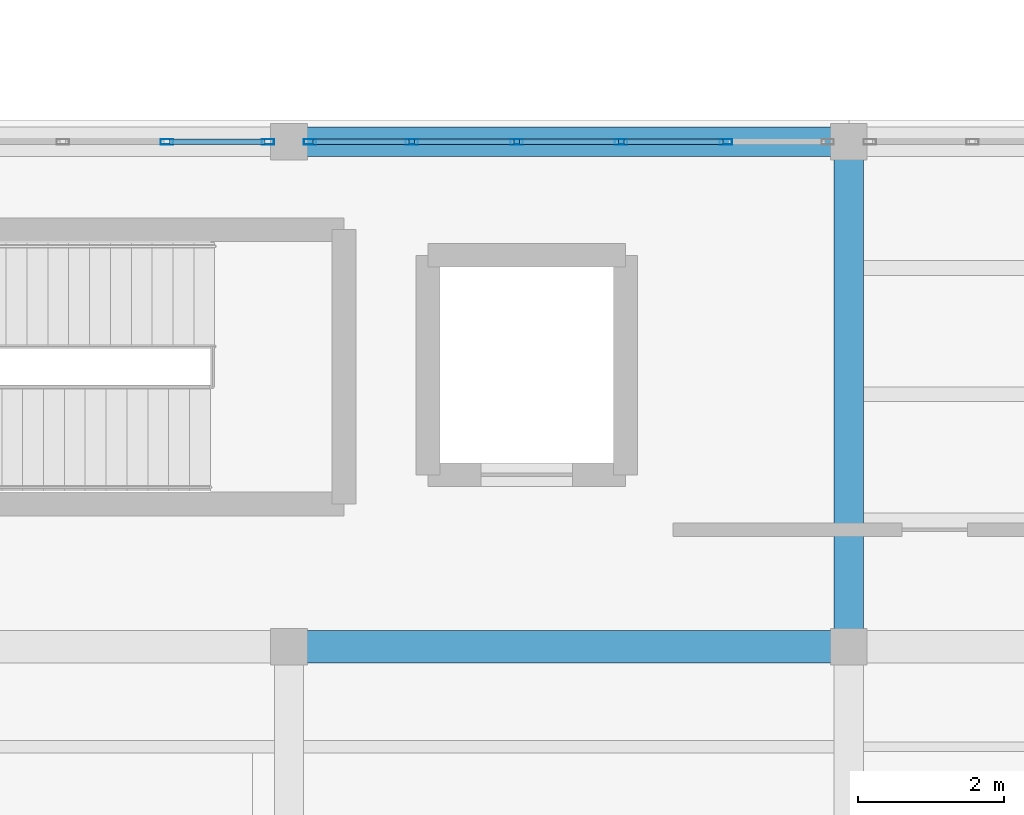
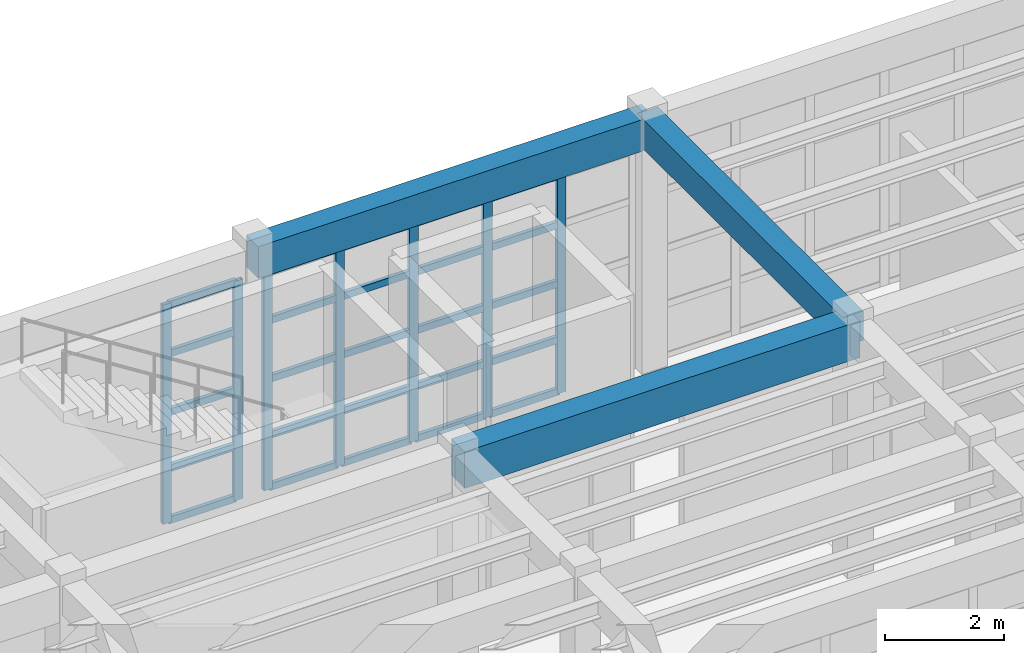
# One storey, part 27 of 103: 32 members, 3 beams, 2 elements without a shape of their own.
"""IFC4 building model written with IfcOpenShell, lengths in metres."""

from ifc_helpers import new_model, si_unit, direction, frame, origin, origin_2d, place, context, subcontext, project, spatial, rectangle, hollow_rectangle, extrude, material, layer, layer_set, material_profile, profile_set, type_object, element, aggregate, save


model = new_model("IFC4")

# Units and contexts
model_context = context("Model", 3, precision=1e-05, world=origin(), true_north=direction((0.0, 1.0)))
body_context = subcontext(model_context, "Body", "Model", "MODEL_VIEW")
ifc_project = project(units=[si_unit("LENGTHUNIT", "METRE"), si_unit("AREAUNIT", "SQUARE_METRE"), si_unit("VOLUMEUNIT", "CUBIC_METRE"), si_unit("PLANEANGLEUNIT", "RADIAN"), si_unit("MASSUNIT", "GRAM", prefix="KILO")], contexts=[model_context])

# Site, building, storey
site_placement = place(None, origin())
site = spatial("IfcSite", under=ifc_project, at=site_placement, CompositionType="ELEMENT")
building_placement = place(site_placement, origin())
building = spatial("IfcBuilding", under=site, at=building_placement, Name="Candilejo Ridge Gondola Terminal", CompositionType="ELEMENT")
storey_placement = place(building_placement, frame((0.0, 0.0, 9.0)))
storey = spatial("IfcBuildingStorey", under=building, at=storey_placement, Name="L02", CompositionType="ELEMENT", Elevation=9.0)

# Curtain wall, members
ifc_material_1 = material(Name="Anodised aluminium AA 6063-T6", Category="aluminium")
ifc_layer_1 = layer(ifc_material_1, 0.169921875)
ifc_layer_set_1 = layer_set([ifc_layer_1], Name="ARC-CW-GALLERY-3200-710X449")
curtain_wall_type_1 = type_object("IfcCurtainWallType", Name="ARC-CW-GALLERY-3200-710X449", PredefinedType="NOTDEFINED", material=ifc_layer_set_1)
curtain_wall_1_placement = place(storey_placement, origin())
curtain_wall_1 = element("IfcCurtainWall", 1, at=curtain_wall_1_placement, inside=storey, type_object=curtain_wall_type_1, Name="Curtain wall V3 L02-084", PredefinedType="NOTDEFINED")
ifc_material_2 = material(Name="Anodised aluminium AA 6063-T6", Category="aluminium")
ifc_material_profile_1 = material_profile(ifc_material_2, hollow_rectangle(XDim=0.074951171875, YDim=0.169921875, WallThickness=0.00390625, at=origin_2d()))
ifc_profile_set_1 = profile_set([ifc_material_profile_1], Name="Anodised aluminium AA 6063-T6")
member_type_1 = type_object("IfcMemberType", Name="ARC-CW-MULLION", PredefinedType="MULLION", material=ifc_profile_set_1)
member_1_placement = place(storey_placement, frame((100.530029296875, 36.699951171875, 0.0), z_axis=(0.0, 0.0, 1.0), x_axis=(0.0, 1.0, 0.0)))
member_1 = element("IfcMember", 2, at=member_1_placement, type_object=member_type_1, Name="CW-71X44 mullion 5", PredefinedType="MULLION", context=body_context, shape_type="SweptSolid", body=[
    extrude(hollow_rectangle(XDim=0.074951171875, YDim=0.169921875, WallThickness=0.00390625, at=origin_2d()), origin(), (0.0, 0.0, 1.0), 4.489990234375),
])
member_2_placement = place(storey_placement, frame((101.91259765625, 36.699951171875, 0.0), z_axis=(0.0, 0.0, 1.0), x_axis=(0.0, 1.0, 0.0)))
member_2 = element("IfcMember", 3, at=member_2_placement, type_object=member_type_1, Name="CW-71X44 mullion 6", PredefinedType="MULLION", context=body_context, shape_type="SweptSolid", body=[
    extrude(hollow_rectangle(XDim=0.074951171875, YDim=0.169921875, WallThickness=0.00390625, at=origin_2d()), origin(), (0.0, 0.0, 1.0), 4.489990234375),
])

ifc_material_3 = material(Name="Anodised aluminium AA 6063-T6", Category="aluminium")
ifc_layer_2 = layer(ifc_material_3, 0.169921875)
ifc_layer_set_2 = layer_set([ifc_layer_2], Name="ARC-CW-GALLERY-3200-715X449")
curtain_wall_type_2 = type_object("IfcCurtainWallType", Name="ARC-CW-GALLERY-3200-715X449", PredefinedType="NOTDEFINED", material=ifc_layer_set_2)
curtain_wall_2_placement = place(storey_placement, origin())
curtain_wall_2 = element("IfcCurtainWall", 4, at=curtain_wall_2_placement, inside=storey, type_object=curtain_wall_type_2, Name="Curtain wall V3 L02-086", PredefinedType="NOTDEFINED")
member_3_placement = place(storey_placement, frame((102.487548828125, 36.699951171875, 0.0), z_axis=(0.0, 0.0, 1.0), x_axis=(0.0, 1.0, 0.0)))
member_3 = element("IfcMember", 5, at=member_3_placement, type_object=member_type_1, Name="CW-71X44 mullion 1", PredefinedType="MULLION", context=body_context, shape_type="SweptSolid", body=[
    extrude(hollow_rectangle(XDim=0.074951171875, YDim=0.169921875, WallThickness=0.00390625, at=origin_2d()), origin(), (0.0, 0.0, 1.0), 4.489990234375),
])
member_4_placement = place(storey_placement, frame((103.8798828125, 36.699951171875, 0.0), z_axis=(0.0, 0.0, 1.0), x_axis=(0.0, 1.0, 0.0)))
member_4 = element("IfcMember", 6, at=member_4_placement, type_object=member_type_1, Name="CW-71X44 mullion 2", PredefinedType="MULLION", context=body_context, shape_type="SweptSolid", body=[
    extrude(hollow_rectangle(XDim=0.074951171875, YDim=0.169921875, WallThickness=0.00390625, at=origin_2d()), origin(), (0.0, 0.0, 1.0), 4.489990234375),
])
member_5_placement = place(storey_placement, frame((105.31005859375, 36.699951171875, 0.0), z_axis=(0.0, 0.0, 1.0), x_axis=(0.0, 1.0, 0.0)))
member_5 = element("IfcMember", 7, at=member_5_placement, type_object=member_type_1, Name="CW-71X44 mullion 3", PredefinedType="MULLION", context=body_context, shape_type="SweptSolid", body=[
    extrude(hollow_rectangle(XDim=0.074951171875, YDim=0.169921875, WallThickness=0.00390625, at=origin_2d()), origin(), (0.0, 0.0, 1.0), 4.489990234375),
])
member_6_placement = place(storey_placement, frame((106.739990234375, 36.699951171875, 0.0), z_axis=(0.0, 0.0, 1.0), x_axis=(0.0, 1.0, 0.0)))
member_6 = element("IfcMember", 8, at=member_6_placement, type_object=member_type_1, Name="CW-71X44 mullion 4", PredefinedType="MULLION", context=body_context, shape_type="SweptSolid", body=[
    extrude(hollow_rectangle(XDim=0.074951171875, YDim=0.169921875, WallThickness=0.00390625, at=origin_2d()), origin(), (0.0, 0.0, 1.0), 4.489990234375),
])
member_7_placement = place(storey_placement, frame((108.169921875, 36.699951171875, 0.0), z_axis=(0.0, 0.0, 1.0), x_axis=(0.0, 1.0, 0.0)))
member_7 = element("IfcMember", 9, at=member_7_placement, type_object=member_type_1, Name="CW-71X44 mullion 5", PredefinedType="MULLION", context=body_context, shape_type="SweptSolid", body=[
    extrude(hollow_rectangle(XDim=0.074951171875, YDim=0.169921875, WallThickness=0.00390625, at=origin_2d()), origin(), (0.0, 0.0, 1.0), 4.489990234375),
])

# Member
ifc_material_4 = material(Name="Anodised aluminium AA 6063-T6", Category="aluminium")
ifc_material_profile_2 = material_profile(ifc_material_4, hollow_rectangle(XDim=0.074951171875, YDim=0.139892578125, WallThickness=0.00390625, at=origin_2d()))
ifc_profile_set_2 = profile_set([ifc_material_profile_2], Name="Anodised aluminium AA 6063-T6")
member_type_2 = type_object("IfcMemberType", Name="ARC-CW-TRANSOM", PredefinedType="USERDEFINED", material=ifc_profile_set_2)
member_8_placement = place(storey_placement, frame((100.5673828125, 36.699951171875, 0.03759765625), z_axis=(1.0, 0.0, 0.0), x_axis=(0.0, 1.0, 0.0)))
member_8 = element("IfcMember", 10, at=member_8_placement, type_object=member_type_2, Name="CW-71X44 transom 5.1", ObjectType="TRANSOM", PredefinedType="USERDEFINED", context=body_context, shape_type="SweptSolid", body=[
    extrude(hollow_rectangle(XDim=0.074951171875, YDim=0.139892578125, WallThickness=0.00390625, at=origin_2d()), origin(), (0.0, 0.0, 1.0), 1.3076171875),
])

member_9_placement = place(storey_placement, frame((100.5673828125, 36.699951171875, 1.10009765625), z_axis=(1.0, 0.0, 0.0), x_axis=(0.0, 1.0, 0.0)))
member_9 = element("IfcMember", 11, at=member_9_placement, type_object=member_type_2, Name="CW-71X44 transom 5.2", ObjectType="TRANSOM", PredefinedType="USERDEFINED", context=body_context, shape_type="SweptSolid", body=[
    extrude(hollow_rectangle(XDim=0.074951171875, YDim=0.139892578125, WallThickness=0.00390625, at=origin_2d()), origin(), (0.0, 0.0, 1.0), 1.3076171875),
])

member_10_placement = place(storey_placement, frame((100.5673828125, 36.699951171875, 2.25), z_axis=(1.0, 0.0, 0.0), x_axis=(0.0, 1.0, 0.0)))
member_10 = element("IfcMember", 12, at=member_10_placement, type_object=member_type_2, Name="CW-71X44 transom 5.3", ObjectType="TRANSOM", PredefinedType="USERDEFINED", context=body_context, shape_type="SweptSolid", body=[
    extrude(hollow_rectangle(XDim=0.074951171875, YDim=0.139892578125, WallThickness=0.00390625, at=origin_2d()), origin(), (0.0, 0.0, 1.0), 1.3076171875),
])

member_11_placement = place(storey_placement, frame((100.5673828125, 36.699951171875, 3.449951171875), z_axis=(1.0, 0.0, 0.0), x_axis=(0.0, 1.0, 0.0)))
member_11 = element("IfcMember", 13, at=member_11_placement, type_object=member_type_2, Name="CW-71X44 transom 5.4", ObjectType="TRANSOM", PredefinedType="USERDEFINED", context=body_context, shape_type="SweptSolid", body=[
    extrude(hollow_rectangle(XDim=0.074951171875, YDim=0.139892578125, WallThickness=0.00390625, at=origin_2d()), origin(), (0.0, 0.0, 1.0), 1.3076171875),
])

member_12_placement = place(storey_placement, frame((100.5673828125, 36.699951171875, 4.452392578125), z_axis=(1.0, 0.0, 0.0), x_axis=(0.0, 1.0, 0.0)))
member_12 = element("IfcMember", 14, at=member_12_placement, type_object=member_type_2, Name="CW-71X44 transom 5.5", ObjectType="TRANSOM", PredefinedType="USERDEFINED", context=body_context, shape_type="SweptSolid", body=[
    extrude(hollow_rectangle(XDim=0.074951171875, YDim=0.139892578125, WallThickness=0.00390625, at=origin_2d()), origin(), (0.0, 0.0, 1.0), 1.3076171875),
])

aggregate(curtain_wall_1, [member_1, member_2, member_8, member_9, member_10, member_11, member_12])

member_13_placement = place(storey_placement, frame((102.52490234375, 36.699951171875, 0.03759765625), z_axis=(1.0, 0.0, 0.0), x_axis=(0.0, 1.0, 0.0)))
member_13 = element("IfcMember", 15, at=member_13_placement, type_object=member_type_2, Name="CW-71X44 transom 1.1", ObjectType="TRANSOM", PredefinedType="USERDEFINED", context=body_context, shape_type="SweptSolid", body=[
    extrude(hollow_rectangle(XDim=0.074951171875, YDim=0.139892578125, WallThickness=0.00390625, at=origin_2d()), origin(), (0.0, 0.0, 1.0), 1.317626953125),
])

member_14_placement = place(storey_placement, frame((102.52490234375, 36.699951171875, 1.10009765625), z_axis=(1.0, 0.0, 0.0), x_axis=(0.0, 1.0, 0.0)))
member_14 = element("IfcMember", 16, at=member_14_placement, type_object=member_type_2, Name="CW-71X44 transom 1.2", ObjectType="TRANSOM", PredefinedType="USERDEFINED", context=body_context, shape_type="SweptSolid", body=[
    extrude(hollow_rectangle(XDim=0.074951171875, YDim=0.139892578125, WallThickness=0.00390625, at=origin_2d()), origin(), (0.0, 0.0, 1.0), 1.317626953125),
])

member_15_placement = place(storey_placement, frame((102.52490234375, 36.699951171875, 2.25), z_axis=(1.0, 0.0, 0.0), x_axis=(0.0, 1.0, 0.0)))
member_15 = element("IfcMember", 17, at=member_15_placement, type_object=member_type_2, Name="CW-71X44 transom 1.3", ObjectType="TRANSOM", PredefinedType="USERDEFINED", context=body_context, shape_type="SweptSolid", body=[
    extrude(hollow_rectangle(XDim=0.074951171875, YDim=0.139892578125, WallThickness=0.00390625, at=origin_2d()), origin(), (0.0, 0.0, 1.0), 1.317626953125),
])

member_16_placement = place(storey_placement, frame((102.52490234375, 36.699951171875, 3.449951171875), z_axis=(1.0, 0.0, 0.0), x_axis=(0.0, 1.0, 0.0)))
member_16 = element("IfcMember", 18, at=member_16_placement, type_object=member_type_2, Name="CW-71X44 transom 1.4", ObjectType="TRANSOM", PredefinedType="USERDEFINED", context=body_context, shape_type="SweptSolid", body=[
    extrude(hollow_rectangle(XDim=0.074951171875, YDim=0.139892578125, WallThickness=0.00390625, at=origin_2d()), origin(), (0.0, 0.0, 1.0), 1.317626953125),
])

member_17_placement = place(storey_placement, frame((102.52490234375, 36.699951171875, 4.452392578125), z_axis=(1.0, 0.0, 0.0), x_axis=(0.0, 1.0, 0.0)))
member_17 = element("IfcMember", 19, at=member_17_placement, type_object=member_type_2, Name="CW-71X44 transom 1.5", ObjectType="TRANSOM", PredefinedType="USERDEFINED", context=body_context, shape_type="SweptSolid", body=[
    extrude(hollow_rectangle(XDim=0.074951171875, YDim=0.139892578125, WallThickness=0.00390625, at=origin_2d()), origin(), (0.0, 0.0, 1.0), 1.317626953125),
])

member_18_placement = place(storey_placement, frame((103.91748046875, 36.699951171875, 0.03759765625), z_axis=(1.0, 0.0, 0.0), x_axis=(0.0, 1.0, 0.0)))
member_18 = element("IfcMember", 20, at=member_18_placement, type_object=member_type_2, Name="CW-71X44 transom 2.1", ObjectType="TRANSOM", PredefinedType="USERDEFINED", context=body_context, shape_type="SweptSolid", body=[
    extrude(hollow_rectangle(XDim=0.074951171875, YDim=0.139892578125, WallThickness=0.00390625, at=origin_2d()), origin(), (0.0, 0.0, 1.0), 1.35498046875),
])

member_19_placement = place(storey_placement, frame((103.91748046875, 36.699951171875, 1.10009765625), z_axis=(1.0, 0.0, 0.0), x_axis=(0.0, 1.0, 0.0)))
member_19 = element("IfcMember", 21, at=member_19_placement, type_object=member_type_2, Name="CW-71X44 transom 2.2", ObjectType="TRANSOM", PredefinedType="USERDEFINED", context=body_context, shape_type="SweptSolid", body=[
    extrude(hollow_rectangle(XDim=0.074951171875, YDim=0.139892578125, WallThickness=0.00390625, at=origin_2d()), origin(), (0.0, 0.0, 1.0), 1.35498046875),
])

member_20_placement = place(storey_placement, frame((103.91748046875, 36.699951171875, 2.25), z_axis=(1.0, 0.0, 0.0), x_axis=(0.0, 1.0, 0.0)))
member_20 = element("IfcMember", 22, at=member_20_placement, type_object=member_type_2, Name="CW-71X44 transom 2.3", ObjectType="TRANSOM", PredefinedType="USERDEFINED", context=body_context, shape_type="SweptSolid", body=[
    extrude(hollow_rectangle(XDim=0.074951171875, YDim=0.139892578125, WallThickness=0.00390625, at=origin_2d()), origin(), (0.0, 0.0, 1.0), 1.35498046875),
])

member_21_placement = place(storey_placement, frame((103.91748046875, 36.699951171875, 3.449951171875), z_axis=(1.0, 0.0, 0.0), x_axis=(0.0, 1.0, 0.0)))
member_21 = element("IfcMember", 23, at=member_21_placement, type_object=member_type_2, Name="CW-71X44 transom 2.4", ObjectType="TRANSOM", PredefinedType="USERDEFINED", context=body_context, shape_type="SweptSolid", body=[
    extrude(hollow_rectangle(XDim=0.074951171875, YDim=0.139892578125, WallThickness=0.00390625, at=origin_2d()), origin(), (0.0, 0.0, 1.0), 1.35498046875),
])

member_22_placement = place(storey_placement, frame((103.91748046875, 36.699951171875, 4.452392578125), z_axis=(1.0, 0.0, 0.0), x_axis=(0.0, 1.0, 0.0)))
member_22 = element("IfcMember", 24, at=member_22_placement, type_object=member_type_2, Name="CW-71X44 transom 2.5", ObjectType="TRANSOM", PredefinedType="USERDEFINED", context=body_context, shape_type="SweptSolid", body=[
    extrude(hollow_rectangle(XDim=0.074951171875, YDim=0.139892578125, WallThickness=0.00390625, at=origin_2d()), origin(), (0.0, 0.0, 1.0), 1.35498046875),
])

member_23_placement = place(storey_placement, frame((105.347412109375, 36.699951171875, 0.03759765625), z_axis=(1.0, 0.0, 0.0), x_axis=(0.0, 1.0, 0.0)))
member_23 = element("IfcMember", 25, at=member_23_placement, type_object=member_type_2, Name="CW-71X44 transom 3.1", ObjectType="TRANSOM", PredefinedType="USERDEFINED", context=body_context, shape_type="SweptSolid", body=[
    extrude(hollow_rectangle(XDim=0.074951171875, YDim=0.139892578125, WallThickness=0.00390625, at=origin_2d()), origin(), (0.0, 0.0, 1.0), 1.35498046875),
])

member_24_placement = place(storey_placement, frame((105.347412109375, 36.699951171875, 1.10009765625), z_axis=(1.0, 0.0, 0.0), x_axis=(0.0, 1.0, 0.0)))
member_24 = element("IfcMember", 26, at=member_24_placement, type_object=member_type_2, Name="CW-71X44 transom 3.2", ObjectType="TRANSOM", PredefinedType="USERDEFINED", context=body_context, shape_type="SweptSolid", body=[
    extrude(hollow_rectangle(XDim=0.074951171875, YDim=0.139892578125, WallThickness=0.00390625, at=origin_2d()), origin(), (0.0, 0.0, 1.0), 1.35498046875),
])

member_25_placement = place(storey_placement, frame((105.347412109375, 36.699951171875, 2.25), z_axis=(1.0, 0.0, 0.0), x_axis=(0.0, 1.0, 0.0)))
member_25 = element("IfcMember", 27, at=member_25_placement, type_object=member_type_2, Name="CW-71X44 transom 3.3", ObjectType="TRANSOM", PredefinedType="USERDEFINED", context=body_context, shape_type="SweptSolid", body=[
    extrude(hollow_rectangle(XDim=0.074951171875, YDim=0.139892578125, WallThickness=0.00390625, at=origin_2d()), origin(), (0.0, 0.0, 1.0), 1.35498046875),
])

member_26_placement = place(storey_placement, frame((105.347412109375, 36.699951171875, 3.449951171875), z_axis=(1.0, 0.0, 0.0), x_axis=(0.0, 1.0, 0.0)))
member_26 = element("IfcMember", 28, at=member_26_placement, type_object=member_type_2, Name="CW-71X44 transom 3.4", ObjectType="TRANSOM", PredefinedType="USERDEFINED", context=body_context, shape_type="SweptSolid", body=[
    extrude(hollow_rectangle(XDim=0.074951171875, YDim=0.139892578125, WallThickness=0.00390625, at=origin_2d()), origin(), (0.0, 0.0, 1.0), 1.35498046875),
])

member_27_placement = place(storey_placement, frame((105.347412109375, 36.699951171875, 4.452392578125), z_axis=(1.0, 0.0, 0.0), x_axis=(0.0, 1.0, 0.0)))
member_27 = element("IfcMember", 29, at=member_27_placement, type_object=member_type_2, Name="CW-71X44 transom 3.5", ObjectType="TRANSOM", PredefinedType="USERDEFINED", context=body_context, shape_type="SweptSolid", body=[
    extrude(hollow_rectangle(XDim=0.074951171875, YDim=0.139892578125, WallThickness=0.00390625, at=origin_2d()), origin(), (0.0, 0.0, 1.0), 1.35498046875),
])

member_28_placement = place(storey_placement, frame((106.777587890625, 36.699951171875, 0.03759765625), z_axis=(1.0, 0.0, 0.0), x_axis=(0.0, 1.0, 0.0)))
member_28 = element("IfcMember", 30, at=member_28_placement, type_object=member_type_2, Name="CW-71X44 transom 4.1", ObjectType="TRANSOM", PredefinedType="USERDEFINED", context=body_context, shape_type="SweptSolid", body=[
    extrude(hollow_rectangle(XDim=0.074951171875, YDim=0.139892578125, WallThickness=0.00390625, at=origin_2d()), origin(), (0.0, 0.0, 1.0), 1.35498046875),
])

member_29_placement = place(storey_placement, frame((106.777587890625, 36.699951171875, 1.10009765625), z_axis=(1.0, 0.0, 0.0), x_axis=(0.0, 1.0, 0.0)))
member_29 = element("IfcMember", 31, at=member_29_placement, type_object=member_type_2, Name="CW-71X44 transom 4.2", ObjectType="TRANSOM", PredefinedType="USERDEFINED", context=body_context, shape_type="SweptSolid", body=[
    extrude(hollow_rectangle(XDim=0.074951171875, YDim=0.139892578125, WallThickness=0.00390625, at=origin_2d()), origin(), (0.0, 0.0, 1.0), 1.35498046875),
])

member_30_placement = place(storey_placement, frame((106.777587890625, 36.699951171875, 2.25), z_axis=(1.0, 0.0, 0.0), x_axis=(0.0, 1.0, 0.0)))
member_30 = element("IfcMember", 32, at=member_30_placement, type_object=member_type_2, Name="CW-71X44 transom 4.3", ObjectType="TRANSOM", PredefinedType="USERDEFINED", context=body_context, shape_type="SweptSolid", body=[
    extrude(hollow_rectangle(XDim=0.074951171875, YDim=0.139892578125, WallThickness=0.00390625, at=origin_2d()), origin(), (0.0, 0.0, 1.0), 1.35498046875),
])

member_31_placement = place(storey_placement, frame((106.777587890625, 36.699951171875, 3.449951171875), z_axis=(1.0, 0.0, 0.0), x_axis=(0.0, 1.0, 0.0)))
member_31 = element("IfcMember", 33, at=member_31_placement, type_object=member_type_2, Name="CW-71X44 transom 4.4", ObjectType="TRANSOM", PredefinedType="USERDEFINED", context=body_context, shape_type="SweptSolid", body=[
    extrude(hollow_rectangle(XDim=0.074951171875, YDim=0.139892578125, WallThickness=0.00390625, at=origin_2d()), origin(), (0.0, 0.0, 1.0), 1.35498046875),
])

member_32_placement = place(storey_placement, frame((106.777587890625, 36.699951171875, 4.452392578125), z_axis=(1.0, 0.0, 0.0), x_axis=(0.0, 1.0, 0.0)))
member_32 = element("IfcMember", 34, at=member_32_placement, type_object=member_type_2, Name="CW-71X44 transom 4.5", ObjectType="TRANSOM", PredefinedType="USERDEFINED", context=body_context, shape_type="SweptSolid", body=[
    extrude(hollow_rectangle(XDim=0.074951171875, YDim=0.139892578125, WallThickness=0.00390625, at=origin_2d()), origin(), (0.0, 0.0, 1.0), 1.35498046875),
])

aggregate(curtain_wall_2, [member_3, member_4, member_5, member_6, member_7, member_13, member_14, member_15, member_16, member_17, member_18, member_19, member_20, member_21, member_22, member_23, member_24, member_25, member_26, member_27, member_28, member_29, member_30, member_31, member_32])

# Beams
ifc_material_5 = material(Name="Concrete f'c 35 MPa (C35/45)", Category="concrete")
ifc_material_profile_3 = material_profile(ifc_material_5, rectangle(XDim=0.39990234375, YDim=0.60009765625, at=origin_2d()))
ifc_profile_set_3 = profile_set([ifc_material_profile_3], Name="Concrete f'c 35 MPa (C35/45)")
beam_type_1 = type_object("IfcBeamType", Name="STR-BM-RC400X600", PredefinedType="BEAM", material=ifc_profile_set_3)
beam_1_placement = place(storey_placement, frame((109.85009765625, 29.800048828125, 4.875), z_axis=(0.0, 1.0, 0.0), x_axis=(-1.0, 0.0, 0.0)))
element("IfcBeam", 35, at=beam_1_placement, inside=storey, type_object=beam_type_1, Name="Beam Y V3 L02 Y06-Y07@X17", PredefinedType="BEAM", context=body_context, shape_type="SweptSolid", body=[
    extrude(rectangle(XDim=0.39990234375, YDim=0.60009765625, at=origin_2d()), origin(), (0.0, 0.0, 1.0), 6.89990234375),
])
ifc_material_6 = material(Name="Concrete f'c 35 MPa (C35/45)", Category="concrete")
ifc_material_profile_4 = material_profile(ifc_material_6, rectangle(XDim=0.449951171875, YDim=0.75, at=origin_2d()))
ifc_profile_set_4 = profile_set([ifc_material_profile_4], Name="Concrete f'c 35 MPa (C35/45)")
beam_type_2 = type_object("IfcBeamType", Name="STR-BM-RC450X750", PredefinedType="BEAM", material=ifc_profile_set_4)
beam_2_placement = place(storey_placement, frame((102.199951171875, 29.800048828125, 4.800048828125), z_axis=(1.0, 0.0, 0.0), x_axis=(0.0, 1.0, 0.0)))
element("IfcBeam", 36, at=beam_2_placement, inside=storey, type_object=beam_type_2, Name="Beam X V3 L02 X16-X17@Y06", PredefinedType="BEAM", context=body_context, shape_type="SweptSolid", body=[
    extrude(rectangle(XDim=0.449951171875, YDim=0.75, at=origin_2d()), origin(), (0.0, 0.0, 1.0), 7.650146484375),
])
ifc_material_7 = material(Name="Concrete f'c 35 MPa (C35/45)", Category="concrete")
ifc_material_profile_5 = material_profile(ifc_material_7, rectangle(XDim=0.39990234375, YDim=0.64990234375, at=origin_2d()))
ifc_profile_set_5 = profile_set([ifc_material_profile_5], Name="Concrete f'c 35 MPa (C35/45)")
beam_type_3 = type_object("IfcBeamType", Name="STR-SPN-RC400X650", PredefinedType="SPANDREL", material=ifc_profile_set_5)
beam_3_placement = place(storey_placement, frame((102.199951171875, 36.699951171875, 4.85009765625), z_axis=(1.0, 0.0, 0.0), x_axis=(0.0, 1.0, 0.0)))
element("IfcBeam", 37, at=beam_3_placement, inside=storey, type_object=beam_type_3, Name="Beam X V3 L02 X16-X17@Y07", PredefinedType="SPANDREL", context=body_context, shape_type="SweptSolid", body=[
    extrude(rectangle(XDim=0.39990234375, YDim=0.64990234375, at=origin_2d()), origin(), (0.0, 0.0, 1.0), 7.650146484375),
])

save(model, "model.ifc")
